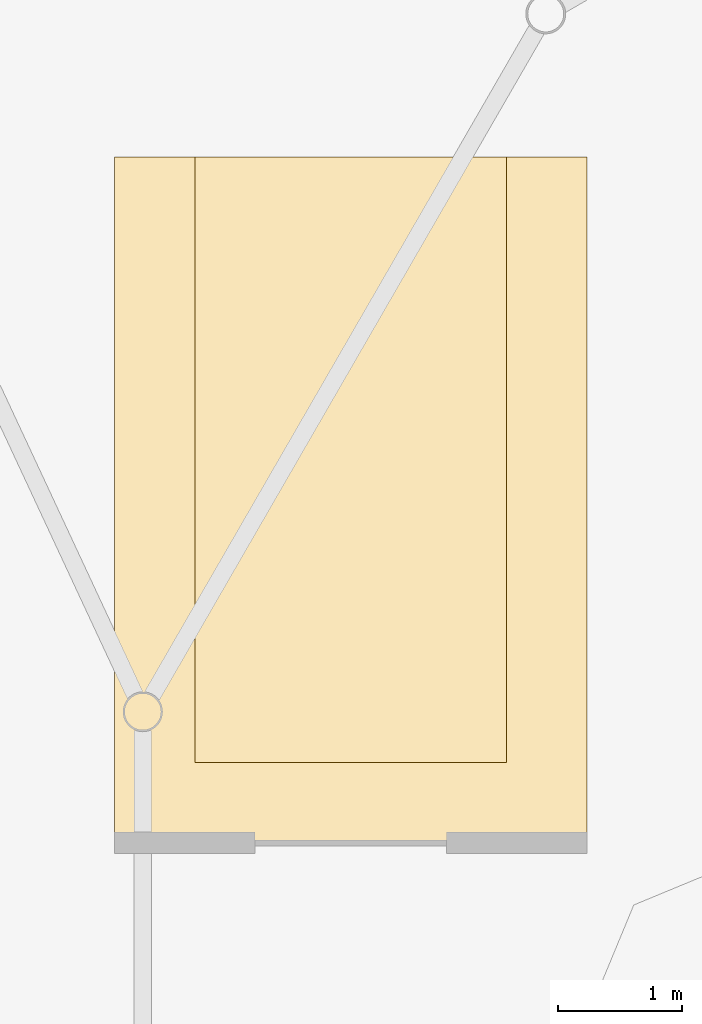
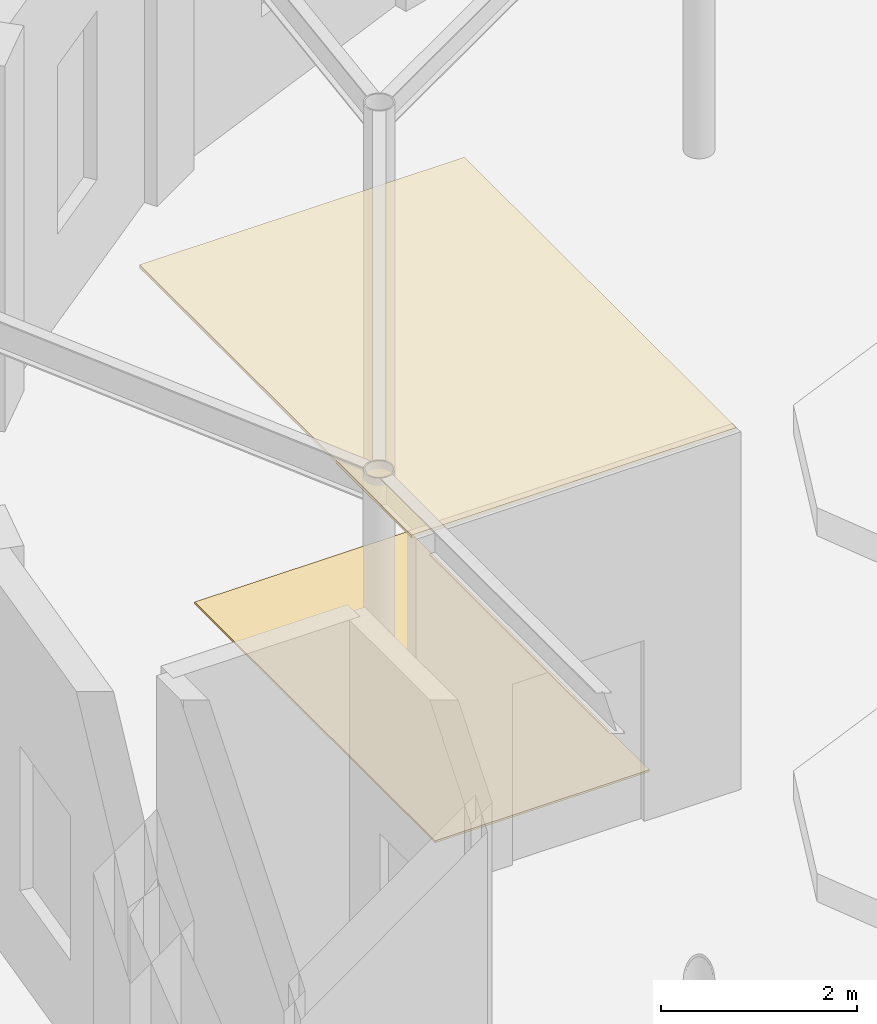
# One storey, part 39 of 39: 2 coverings.
"""IFC4 building model written with IfcOpenShell, lengths in metres."""

import ifcopenshell
import ifcopenshell.guid

model = None  # the IFC model being written
_history = None  # IfcOwnerHistory: only IFC2X3 demands one
_inside = {}  # id of a spatial element -> (the spatial element, [elements in it])
_under = {}  # id of a project, library or spatial element -> (it, [spatial elements below it])
_declared = {}  # id of a project -> (the project, [libraries it declares])
_typed = {}  # id of a type object -> (the type object, [elements of that type])
_made_of = {}  # id of a material, layer set ... -> (it, [elements and type objects made of it])


def new_model(schema):
    """Start an empty IFC model of exactly this schema.

    Asked for "IFC4X3", IfcOpenShell would pick the latest addendum, in which some entities
    have other attributes; the version numbers below select the first issue.
    IFC2X3 requires an IfcOwnerHistory on every rooted entity: one is made here for all.
    """
    global model, _history
    if schema == "IFC4X3":
        model = ifcopenshell.file(schema_version=(4, 3, 0, 0))
    else:
        model = ifcopenshell.file(schema=schema)
    _inside.clear()
    _under.clear()
    _declared.clear()
    _typed.clear()
    _made_of.clear()
    _history = None
    if model.schema == "IFC2X3":
        org = make("IfcOrganization", Name="unknown")
        user = make(
            "IfcPersonAndOrganization",
            ThePerson=make("IfcPerson", FamilyName="unknown"),
            TheOrganization=org,
        )
        app = make(
            "IfcApplication",
            ApplicationDeveloper=org,
            Version="unknown",
            ApplicationFullName="unknown",
            ApplicationIdentifier="unknown",
        )
        _history = make(
            "IfcOwnerHistory",
            OwningUser=user,
            OwningApplication=app,
            ChangeAction="ADDED",
            CreationDate=0,
        )
    return model


def make(cls, **values):
    """One entity of the class cls with the attributes given. An attribute that is None is left unset."""
    return model.create_entity(
        cls, **{name: value for name, value in values.items() if value is not None}
    )


def rooted(cls, **values):
    """An entity with a GlobalId (a new one), such as an element, a storey or a relation."""
    return make(cls, GlobalId=ifcopenshell.guid.new(), OwnerHistory=_history, **values)


def si_unit(unit_type, name, prefix=None):
    """IfcSIUnit, for example si_unit("LENGTHUNIT", "METRE", prefix="MILLI")."""
    return make("IfcSIUnit", UnitType=unit_type, Prefix=prefix, Name=name)


def assignment(units):
    """IfcUnitAssignment: the units of a project."""
    return None if units is None else make("IfcUnitAssignment", Units=units)


def point(xyz):
    """IfcCartesianPoint."""
    return None if xyz is None else make("IfcCartesianPoint", Coordinates=xyz)


def direction(xyz):
    """IfcDirection."""
    return None if xyz is None else make("IfcDirection", DirectionRatios=xyz)


def frame(location, z_axis=None, x_axis=None):
    """IfcAxis2Placement3D, a coordinate frame: its origin and axes. An axis left out is left unset."""
    return make(
        "IfcAxis2Placement3D",
        Location=point(location),
        Axis=direction(z_axis),
        RefDirection=direction(x_axis),
    )


def origin():
    """The frame at (0, 0, 0) with its axes left unset."""
    return frame((0.0, 0.0, 0.0))


def place(relative_to, where):
    """IfcLocalPlacement: puts the frame where relative to a parent placement (None: the world)."""
    return make(
        "IfcLocalPlacement", PlacementRelTo=relative_to, RelativePlacement=where
    )


def context(
    kind, dimensions, precision=None, world=None, true_north=None, identifier=None
):
    """IfcGeometricRepresentationContext, for example the 3D "Model" context."""
    return make(
        "IfcGeometricRepresentationContext",
        ContextIdentifier=identifier,
        ContextType=kind,
        CoordinateSpaceDimension=dimensions,
        Precision=precision,
        WorldCoordinateSystem=world,
        TrueNorth=true_north,
    )


def subcontext(parent, identifier, kind, view, scale=None):
    """IfcGeometricRepresentationSubContext, for example "Body" below "Model"."""
    return make(
        "IfcGeometricRepresentationSubContext",
        ContextIdentifier=identifier,
        ContextType=kind,
        ParentContext=parent,
        TargetScale=scale,
        TargetView=view,
    )


def project(units=None, contexts=None):
    """IfcProject with its units and contexts."""
    return rooted(
        "IfcProject",
        Name="project",
        RepresentationContexts=contexts,
        UnitsInContext=assignment(units),
    )


def spatial(cls, under=None, at=None, **own):
    """A site, building, storey or space (cls), placed at a placement, below another one or the project."""
    s = rooted(cls, ObjectPlacement=at, **own)
    if under is not None:
        _under.setdefault(under.id(), (under, []))[1].append(s)
    return s


def polyline(points):
    """IfcPolyline through the points."""
    return make("IfcPolyline", Points=[point(p) for p in points])


def outline(outer, holes=None, kind="AREA"):
    """IfcArbitraryClosedProfileDef: a profile drawn as a closed curve; with holes, ...WithVoids."""
    if holes is None:
        return make("IfcArbitraryClosedProfileDef", ProfileType=kind, OuterCurve=outer)
    return make(
        "IfcArbitraryProfileDefWithVoids",
        ProfileType=kind,
        OuterCurve=outer,
        InnerCurves=holes,
    )


def extrude(swept, where, along, depth):
    """IfcExtrudedAreaSolid: the profile swept, set in the frame where, extruded along a direction by depth."""
    return make(
        "IfcExtrudedAreaSolid",
        SweptArea=swept,
        Position=where,
        ExtrudedDirection=direction(along),
        Depth=depth,
    )


def shape(context_of_items, identifier, shape_type, items):
    """IfcShapeRepresentation: the items that make up one representation, for example the "Body"."""
    return make(
        "IfcShapeRepresentation",
        ContextOfItems=context_of_items,
        RepresentationIdentifier=identifier,
        RepresentationType=shape_type,
        Items=items,
    )


def material(Name=None, Category=None):
    """IfcMaterial."""
    return make("IfcMaterial", Name=Name, Category=Category)


def layer(
    of_material, thickness, ventilated=None, Name=None, Category=None, Priority=None
):
    """IfcMaterialLayer: one layer of a wall or slab, of a material (None: an air gap)."""
    return make(
        "IfcMaterialLayer",
        Material=of_material,
        LayerThickness=thickness,
        IsVentilated=ventilated,
        Name=Name,
        Category=Category,
        Priority=Priority,
    )


def layer_set(layers, Name=None):
    """IfcMaterialLayerSet."""
    return make("IfcMaterialLayerSet", MaterialLayers=layers, LayerSetName=Name)


def made_of(thing, what):
    """Note that an element or type object is made of a material, layer set ...; save() writes the relation."""
    if what is not None:
        _made_of.setdefault(what.id(), (what, []))[1].append(thing)
    return thing


def type_object(cls, material=None, **own):
    """A type object (cls), such as IfcWallType, which elements share."""
    return made_of(rooted(cls, **own), material)


def element(
    cls,
    number,
    at=None,
    inside=None,
    cuts=None,
    type_object=None,
    material=None,
    context=None,
    identifier="Body",
    shape_type=None,
    held_by="IfcProductDefinitionShape",
    body=None,
    shapes=None,
    **own,
):
    """One element of the class cls, such as IfcWall. Its Tag is "e" and its number.

    at: its placement. inside: the storey or other place that contains it. cuts: it is an
    opening in that element (IfcRelVoidsElement). A single representation is given by context,
    identifier, shape_type and body (its items); several are given by shapes. held_by: the class
    of the entity that holds the representations. save() writes the other relations.
    """
    e = rooted(cls, Tag="e%d" % number, ObjectPlacement=at, **own)
    if body is not None:
        shapes = [shape(context, identifier, shape_type, body)]
    if shapes is not None:
        e.Representation = make(held_by, Representations=shapes)
    if inside is not None:
        _inside.setdefault(inside.id(), (inside, []))[1].append(e)
    if cuts is not None:
        rooted(
            "IfcRelVoidsElement", RelatingBuildingElement=cuts, RelatedOpeningElement=e
        )
    if type_object is not None:
        _typed.setdefault(type_object.id(), (type_object, []))[1].append(e)
    return made_of(e, material)


def aggregate(whole, parts):
    """IfcRelAggregates: a whole, such as a stair, and the parts it consists of."""
    return rooted("IfcRelAggregates", RelatingObject=whole, RelatedObjects=parts)


def save(model, path):
    """Write the relations noted so far, then the file.

    IfcRelAggregates (storeys below a building ...), IfcRelContainedInSpatialStructure (elements
    in a storey), IfcRelDefinesByType, IfcRelAssociatesMaterial and IfcRelDeclares: one each for
    every whole, place, type object, material and project.
    """
    for whole, parts in _under.values():
        aggregate(whole, parts)
    for where, things in _inside.values():
        rooted(
            "IfcRelContainedInSpatialStructure",
            RelatedElements=things,
            RelatingStructure=where,
        )
    for kind, things in _typed.values():
        rooted("IfcRelDefinesByType", RelatedObjects=things, RelatingType=kind)
    for what, things in _made_of.values():
        rooted("IfcRelAssociatesMaterial", RelatedObjects=things, RelatingMaterial=what)
    for by, libraries in _declared.values():
        rooted("IfcRelDeclares", RelatingContext=by, RelatedDefinitions=libraries)
    model.write(path)


model = new_model("IFC4")

# Units and contexts
model_context = context("Model", 3, precision=1e-05, world=origin(), true_north=direction((0.0, 1.0)))
body_context = subcontext(model_context, "Body", "Model", "MODEL_VIEW")
ifc_project = project(units=[si_unit("LENGTHUNIT", "METRE"), si_unit("AREAUNIT", "SQUARE_METRE"), si_unit("VOLUMEUNIT", "CUBIC_METRE"), si_unit("PLANEANGLEUNIT", "RADIAN"), si_unit("MASSUNIT", "GRAM", prefix="KILO")], contexts=[model_context])

# Site, building, storey
site_placement = place(None, origin())
site = spatial("IfcSite", under=ifc_project, at=site_placement, CompositionType="ELEMENT")
building_placement = place(site_placement, origin())
building = spatial("IfcBuilding", under=site, at=building_placement, Name="Kandorven Conservatory and Botanical Research Centre", CompositionType="ELEMENT")
storey_placement = place(building_placement, origin())
storey = spatial("IfcBuildingStorey", under=building, at=storey_placement, Name="L00", CompositionType="ELEMENT", Elevation=0.0)

# Coverings
ifc_material_1 = material(Name="Perforated mineral-fibre acoustic ceiling tile", Category="gypsum")
ifc_layer_1 = layer(ifc_material_1, 0.0400390625)
ifc_layer_set_1 = layer_set([ifc_layer_1], Name="Perforated mineral-fibre acoustic ceiling tile")
covering_type_1 = type_object("IfcCoveringType", Name="Cov_Ceiling_1", PredefinedType="CEILING", material=ifc_layer_set_1)
covering_1_placement = place(storey_placement, frame((0.0, 0.0, 4.409912109375)))
element("IfcCovering", 1, at=covering_1_placement, inside=storey, type_object=covering_type_1, Name="Suspended acoustic ceiling CLG-01 (Conservatory Plant Acclimatisation Bay)", PredefinedType="CEILING", context=body_context, shape_type="SweptSolid", body=[
    extrude(outline(polyline([(75.199951171875, 50.0), (79.02392578125, 50.0), (79.02392578125, 55.550048828125), (75.199951171875, 55.550048828125), (75.199951171875, 50.0)])), origin(), (0.0, 0.0, 1.0), 0.0400390625),
])
ifc_material_2 = material(Name="Honed Kota stone and epoxy laboratory flooring", Category="masonry")
ifc_layer_2 = layer(ifc_material_2, 0.02490234375)
ifc_layer_set_2 = layer_set([ifc_layer_2], Name="Honed Kota stone and epoxy laboratory flooring")
covering_type_2 = type_object("IfcCoveringType", Name="Cov_Flooring_1", PredefinedType="FLOORING", material=ifc_layer_set_2)
covering_2_placement = place(storey_placement, origin())
element("IfcCovering", 2, at=covering_2_placement, inside=storey, type_object=covering_type_2, Name="Floor finish FLR-01 (Conservatory Plant Acclimatisation Bay)", PredefinedType="FLOORING", context=body_context, shape_type="SweptSolid", body=[
    extrude(outline(polyline([(75.85009765625, 50.64990234375), (78.3740234375, 50.64990234375), (78.3740234375, 55.550048828125), (75.85009765625, 55.550048828125), (75.85009765625, 50.64990234375)])), origin(), (0.0, 0.0, 1.0), 0.02490234375),
])

save(model, "model.ifc")
